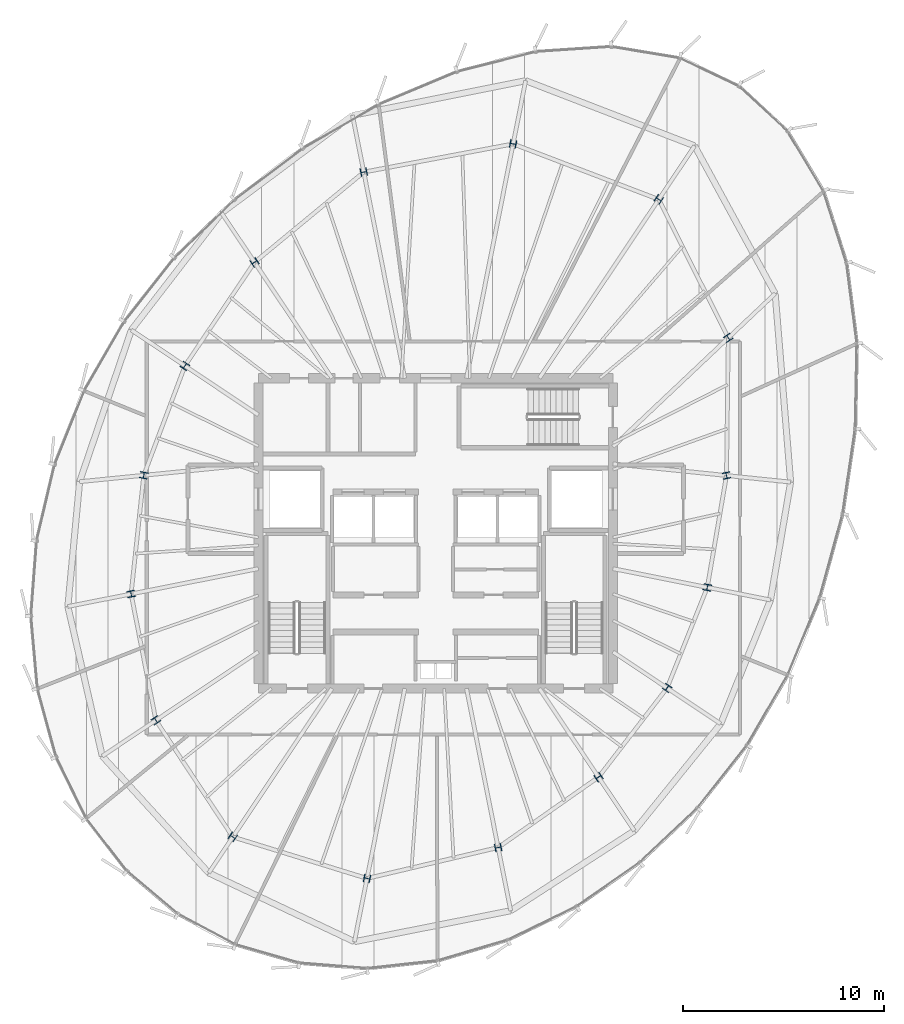
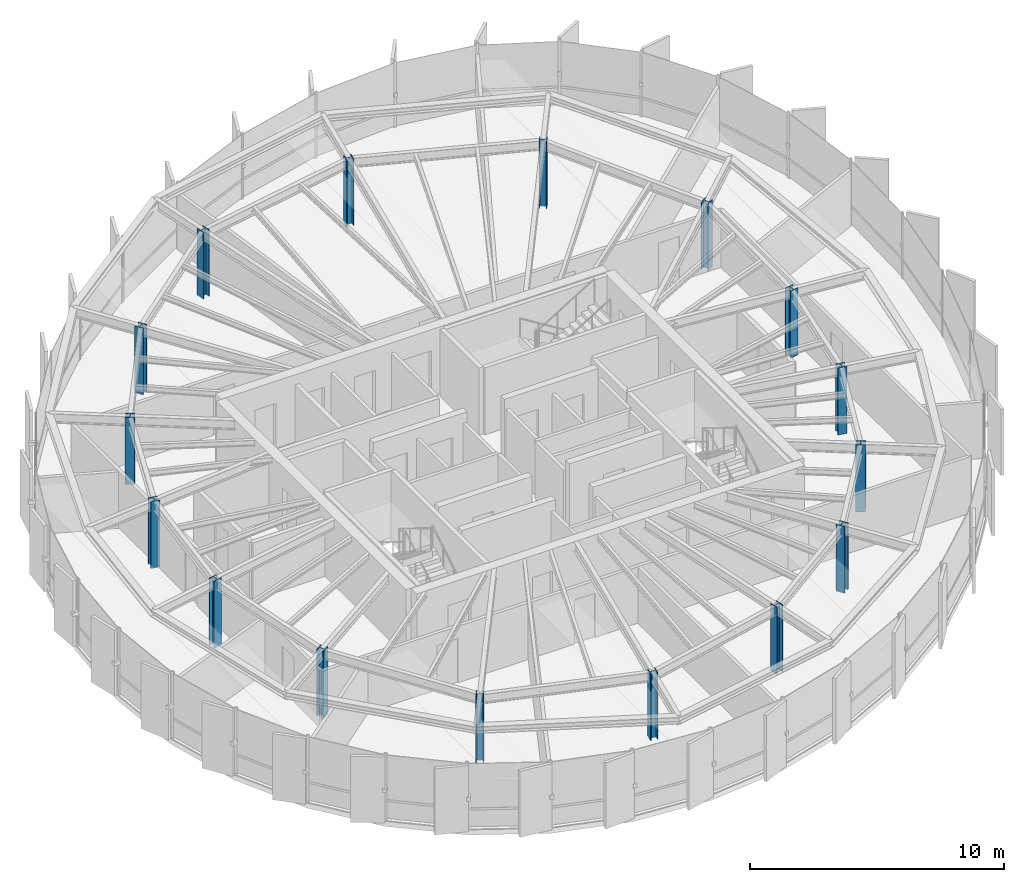
# One storey, part 1 of 34: 16 columns.
"""IFC4 building model written with IfcOpenShell, lengths in metres."""

from ifc_helpers import new_model, si_unit, direction, frame, origin, origin_2d, place, context, subcontext, project, spatial, i_section, extrude, source, transform, mapped, material, material_profile, profile_set, type_object, element, save


model = new_model("IFC4")

# Units and contexts
model_context = context("Model", 3, precision=1e-05, world=origin(), true_north=direction((0.0, 1.0)))
body_context = subcontext(model_context, "Body", "Model", "MODEL_VIEW")
ifc_project = project(units=[si_unit("LENGTHUNIT", "METRE"), si_unit("AREAUNIT", "SQUARE_METRE"), si_unit("VOLUMEUNIT", "CUBIC_METRE"), si_unit("PLANEANGLEUNIT", "RADIAN"), si_unit("MASSUNIT", "GRAM", prefix="KILO"), si_unit("THERMODYNAMICTEMPERATUREUNIT", "KELVIN")], contexts=[model_context])

# Site, building, storey
site_placement = place(None, origin())
site = spatial("IfcSite", under=ifc_project, at=site_placement, CompositionType="ELEMENT")
building_placement = place(site_placement, origin())
building = spatial("IfcBuilding", under=site, at=building_placement, Name="Kethvar Cultural Tower", CompositionType="ELEMENT")
storey_placement = place(building_placement, frame((0.0, 0.0, 259.449951171875)))
storey = spatial("IfcBuildingStorey", under=building, at=storey_placement, Name="L68", CompositionType="ELEMENT", Elevation=259.449951171875)

# Columns
ifc_material = material(Name="Steel S460M", Category="steel")
ifc_material_profile = material_profile(ifc_material, i_section(OverallWidth=0.386962890625, OverallDepth=0.31591796875, WebThickness=0.0185546875, FlangeThickness=0.028076171875, FilletRadius=0.014892578125, at=origin_2d()), Name="Steel S460M — HD400x382")
ifc_profile_set = profile_set([ifc_material_profile], Name="Steel S460M — HD400x382")
column_type = type_object("IfcColumnType", Name="COL-HD382", PredefinedType="COLUMN", material=ifc_profile_set)
shared_shape = source(origin(), body_context, "Body", "SweptSolid", [
    extrude(i_section(OverallWidth=0.386962890625, OverallDepth=0.31591796875, WebThickness=0.0185546875, FlangeThickness=0.028076171875, FilletRadius=0.014892578125, at=origin_2d()), origin(), (0.0, 0.0, 1.0), 3.2099609375),
])
for number, where, z_axis, x_axis, name in (
    (1, (61.237060546875, 30.671630859375, 0.0), (0.0, 0.0, 1.0), (0.980785280403, 0.195090322016, 0.0), "L68 Mega-Column MC-01"),
    (2, (61.32568359375, 37.505859375, 0.0), (0.0, 0.0, 1.0), (0.831469612303, 0.55557023302, 0.0), "L68 Mega-Column MC-02"),
    (3, (57.875244140625, 44.375, 0.0), (0.0, 0.0, 1.0), (0.55557023302, 0.831469612303, 0.0), "L68 Mega-Column MC-03"),
    (4, (50.645263671875, 47.131591796875, 0.0), (0.0, 0.0, 1.0), (0.195090322016, 0.980785280403, 0.0), "L68 Mega-Column MC-04"),
    (5, (43.23291015625, 45.732421875, 0.0), (0.0, 0.0, 1.0), (-0.195090322016, 0.980785280403, 0.0), "L68 Mega-Column MC-05"),
    (6, (37.8095703125, 41.255126953125, 0.0), (0.0, 0.0, 1.0), (-0.55557023302, 0.831469612303, 0.0), "L68 Mega-Column MC-06"),
    (7, (34.35595703125, 36.114990234375, 0.0), (0.0, 0.0, 1.0), (-0.831469612303, 0.55557023302, 0.0), "L68 Mega-Column MC-07"),
    (8, (32.3125, 30.681884765625, 0.0), (0.0, 0.0, 1.0), (-0.980785280403, 0.195090322016, 0.0), "L68 Mega-Column MC-08"),
    (9, (31.68310546875, 24.79296875, 0.0), (0.0, 0.0, 1.0), (-0.980785280403, -0.195090322016, 0.0), "L68 Mega-Column MC-09"),
    (10, (32.912841796875, 18.52099609375, 0.0), (0.0, 0.0, 1.0), (-0.831469612303, -0.55557023302, 0.0), "L68 Mega-Column MC-10"),
    (11, (36.731201171875, 12.73095703125, 0.0), (0.0, 0.0, 1.0), (-0.55557023302, -0.831469612303, 0.0), "L68 Mega-Column MC-11"),
    (12, (43.392822265625, 10.67138671875, 0.0), (0.0, 0.0, 1.0), (-0.195090322016, -0.980785280403, 0.0), "L68 Mega-Column MC-12"),
    (13, (49.901611328125, 12.206787109375, 0.0), (0.0, 0.0, 1.0), (0.195090322016, -0.980785280403, 0.0), "L68 Mega-Column MC-13"),
    (14, (54.885009765625, 15.7001953125, 0.0), (0.0, 0.0, 1.0), (0.55557023302, -0.831469612303, 0.0), "L68 Mega-Column MC-14"),
    (15, (58.287109375, 20.12451171875, 0.0), (0.0, 0.0, 1.0), (0.831469612303, -0.55557023302, 0.0), "L68 Mega-Column MC-15"),
    (16, (60.28369140625, 25.117919921875, 0.0), (0.0, 0.0, 1.0), (0.980785280403, -0.195090322016, 0.0), "L68 Mega-Column MC-16"),
):
    element("IfcColumn", number, at=place(storey_placement, frame(where, z_axis=z_axis, x_axis=x_axis)), inside=storey, type_object=column_type, Name=name, PredefinedType="COLUMN", context=body_context, shape_type="MappedRepresentation", body=[
        mapped(shared_shape, transform((0.0, 0.0, 0.0), scale=1.0)),
    ])

save(model, "model.ifc")
